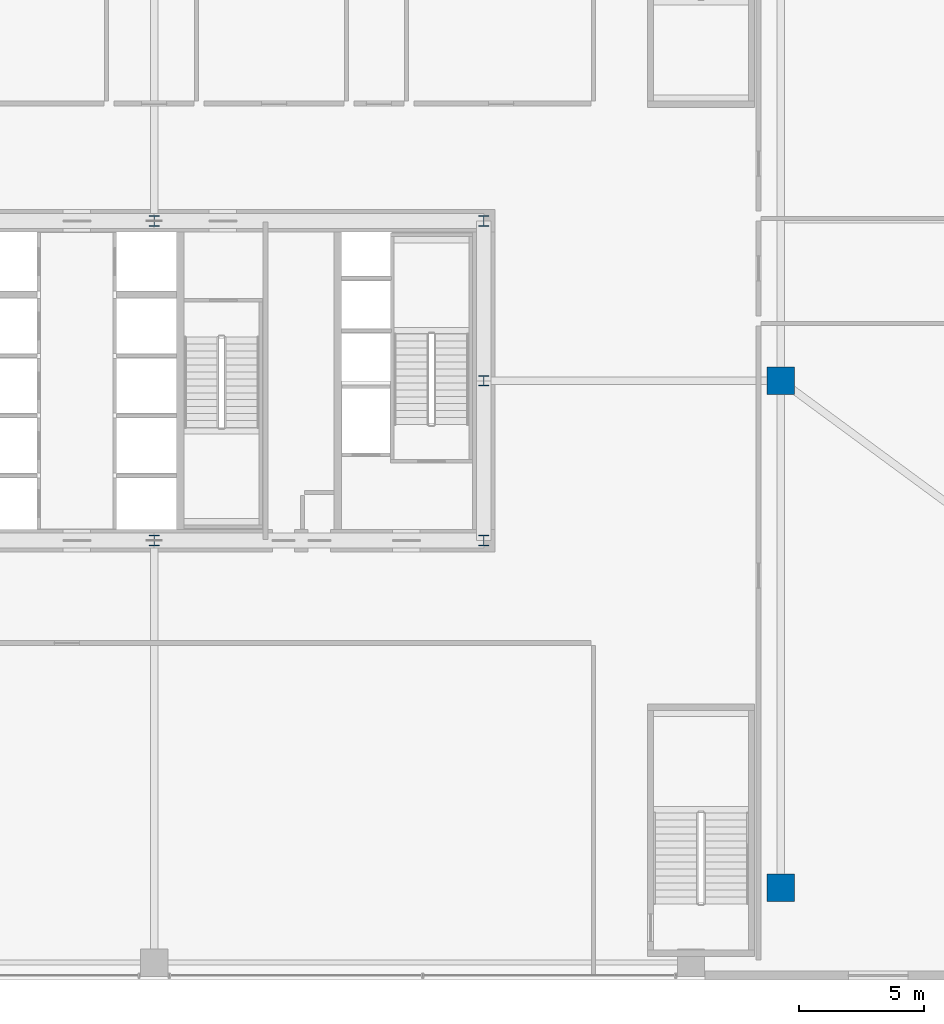
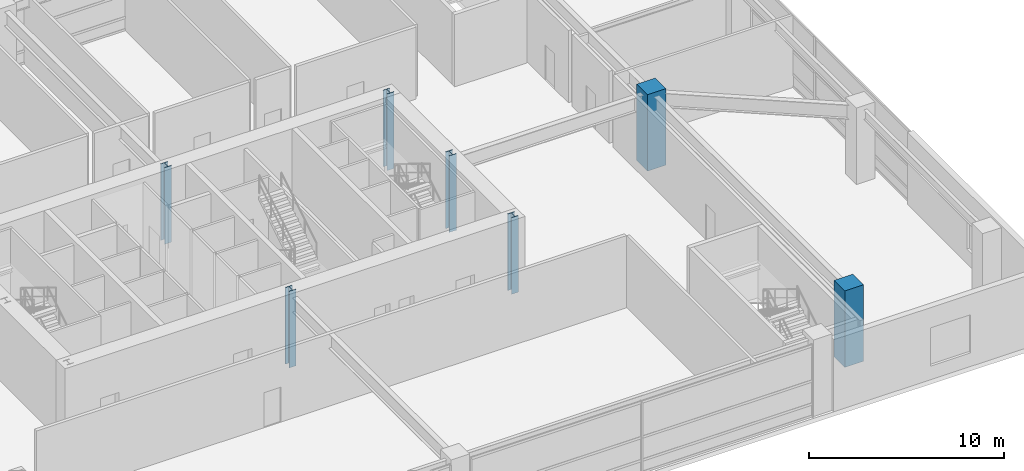
# One storey, part 2 of 38: 7 columns.
"""IFC4 building model written with IfcOpenShell, lengths in metres."""

from ifc_helpers import new_model, si_unit, direction, frame, origin, origin_2d, place, context, subcontext, project, spatial, rectangle, i_section, extrude, source, transform, mapped, material, material_profile, profile_set, type_object, element, save


model = new_model("IFC4")

# Units and contexts
model_context = context("Model", 3, precision=1e-05, world=origin(), true_north=direction((0.0, 1.0)))
body_context = subcontext(model_context, "Body", "Model", "MODEL_VIEW")
ifc_project = project(units=[si_unit("LENGTHUNIT", "METRE"), si_unit("AREAUNIT", "SQUARE_METRE"), si_unit("VOLUMEUNIT", "CUBIC_METRE"), si_unit("PLANEANGLEUNIT", "RADIAN"), si_unit("MASSUNIT", "GRAM", prefix="KILO"), si_unit("THERMODYNAMICTEMPERATUREUNIT", "KELVIN"), si_unit("POWERUNIT", "WATT")], contexts=[model_context])

# Site, building, storey
site_placement = place(None, origin())
site = spatial("IfcSite", under=ifc_project, at=site_placement, CompositionType="ELEMENT")
building_placement = place(site_placement, origin())
building = spatial("IfcBuilding", under=site, at=building_placement, Name="Yuzanri Waterfront Tower", CompositionType="ELEMENT")
storey_placement = place(building_placement, frame((0.0, 0.0, 10.199951171875)))
storey = spatial("IfcBuildingStorey", under=building, at=storey_placement, Name="L03", CompositionType="ELEMENT", Elevation=10.199951171875)

# Columns
ifc_material_1 = material(Name="Steel Q355B", Category="steel")
ifc_material_profile_1 = material_profile(ifc_material_1, i_section(OverallWidth=0.406982421875, OverallDepth=0.427978515625, WebThickness=0.02001953125, FlangeThickness=0.034912109375, at=origin_2d()), Name="HW 428x407x20x35")
ifc_profile_set_1 = profile_set([ifc_material_profile_1], Name="Steel Q355B")
column_type_1 = type_object("IfcColumnType", Name="Core Post Q355B HW 428x407x20x35", PredefinedType="COLUMN", material=ifc_profile_set_1)
shared_shape_1 = source(origin(), body_context, "Body", "SweptSolid", [
    extrude(i_section(OverallWidth=0.406982421875, OverallDepth=0.427978515625, WebThickness=0.02001953125, FlangeThickness=0.034912109375, at=origin_2d()), origin(), (0.0, 0.0, 1.0), 4.800048828125),
])
for number, where, z_axis, x_axis, name in (
    (1, (37.0, 19.39990234375, 0.0), (0.0, 0.0, 1.0), (1.0, 0.0, 0.0), "L03 Core Boundary Column CP2"),
    (2, (50.199951171875, 19.39990234375, 0.0), (0.0, 0.0, 1.0), (1.0, 0.0, 0.0), "L03 Core Boundary Column CP3"),
    (3, (50.199951171875, 25.800048828125, 0.0), (0.0, 0.0, 1.0), (1.0, 0.0, 0.0), "L03 Core Boundary Column CP5"),
    (4, (37.0, 32.199951171875, 0.0), (0.0, 0.0, 1.0), (1.0, 0.0, 0.0), "L03 Core Boundary Column CP7"),
    (5, (50.199951171875, 32.199951171875, 0.0), (0.0, 0.0, 1.0), (1.0, 0.0, 0.0), "L03 Core Boundary Column CP8"),
):
    element("IfcColumn", number, at=place(storey_placement, frame(where, z_axis=z_axis, x_axis=x_axis)), inside=storey, type_object=column_type_1, Name=name, PredefinedType="COLUMN", context=body_context, shape_type="MappedRepresentation", body=[
        mapped(shared_shape_1, transform((0.0, 0.0, 0.0), scale=1.0)),
    ])
ifc_material_2 = material(Name="Concrete C50", Category="concrete")
ifc_material_profile_2 = material_profile(ifc_material_2, rectangle(XDim=1.10009765625, YDim=1.10009765625, at=origin_2d()), Name="RC 1100x1100")
ifc_profile_set_2 = profile_set([ifc_material_profile_2], Name="Concrete C50")
column_type_2 = type_object("IfcColumnType", Name="Podium RC Column C50 1100x1100", PredefinedType="COLUMN", material=ifc_profile_set_2)
shared_shape_2 = source(origin(), body_context, "Body", "SweptSolid", [
    extrude(rectangle(XDim=1.10009765625, YDim=1.10009765625, at=origin_2d()), origin(), (0.0, 0.0, 1.0), 4.800048828125),
])
for number, where, z_axis, x_axis, name in (
    (6, (62.10009765625, 5.5, 0.0), (0.0, 0.0, 1.0), (1.0, 0.0, 0.0), "L03 Podium Column PTE1"),
    (7, (62.10009765625, 25.800048828125, 0.0), (0.0, 0.0, 1.0), (1.0, 0.0, 0.0), "L03 Podium Column PTE2"),
):
    element("IfcColumn", number, at=place(storey_placement, frame(where, z_axis=z_axis, x_axis=x_axis)), inside=storey, type_object=column_type_2, Name=name, PredefinedType="COLUMN", context=body_context, shape_type="MappedRepresentation", body=[
        mapped(shared_shape_2, transform((0.0, 0.0, 0.0), scale=1.0)),
    ])

save(model, "model.ifc")
